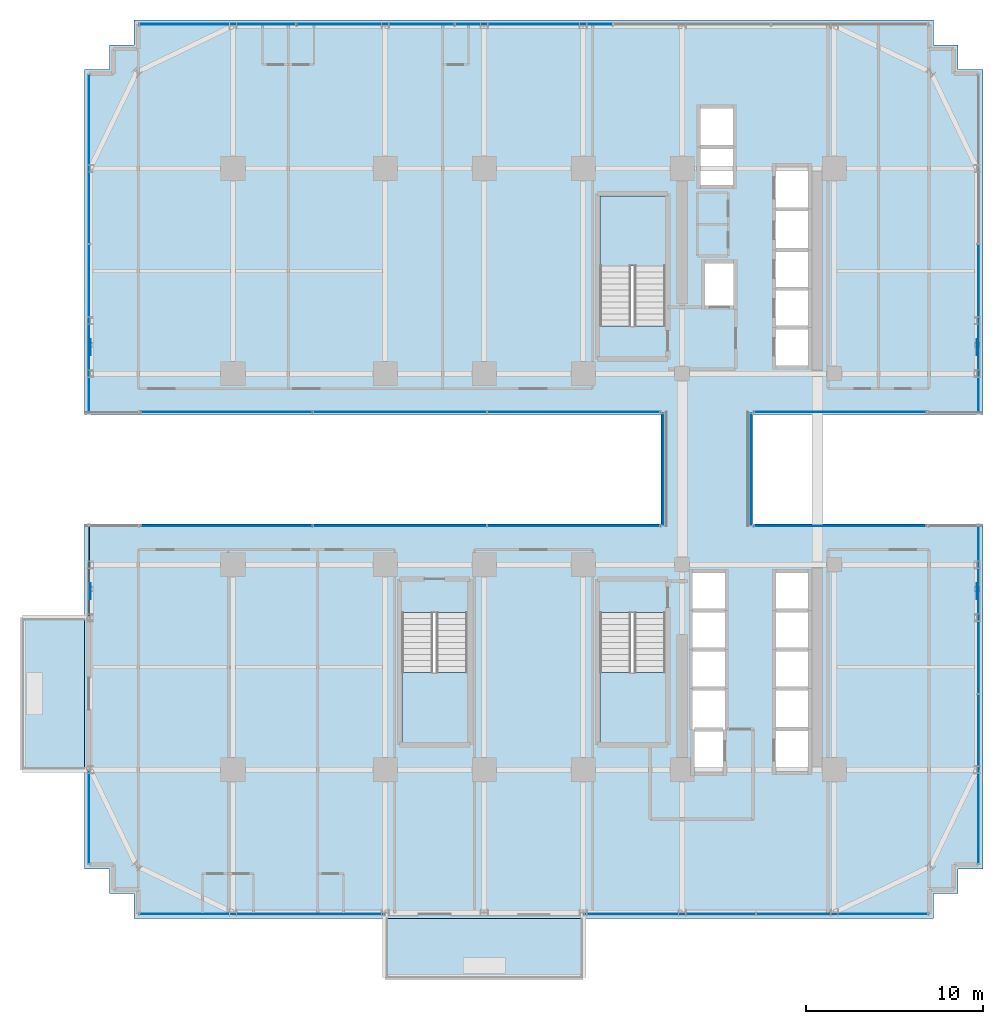
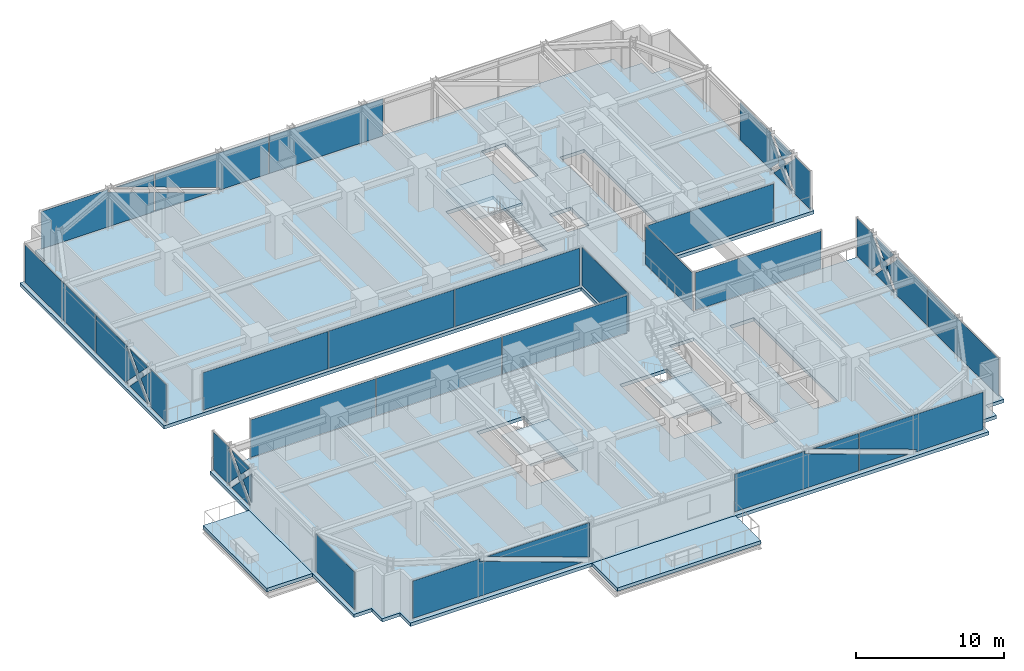
# One storey, part 30 of 38: 27 plates, 6 slabs, 17 elements without a shape of their own.
"""IFC4 building model written with IfcOpenShell, lengths in metres."""

import ifcopenshell
import ifcopenshell.guid

model = None  # the IFC model being written
_history = None  # IfcOwnerHistory: only IFC2X3 demands one
_inside = {}  # id of a spatial element -> (the spatial element, [elements in it])
_under = {}  # id of a project, library or spatial element -> (it, [spatial elements below it])
_declared = {}  # id of a project -> (the project, [libraries it declares])
_typed = {}  # id of a type object -> (the type object, [elements of that type])
_made_of = {}  # id of a material, layer set ... -> (it, [elements and type objects made of it])


def new_model(schema):
    """Start an empty IFC model of exactly this schema.

    Asked for "IFC4X3", IfcOpenShell would pick the latest addendum, in which some entities
    have other attributes; the version numbers below select the first issue.
    IFC2X3 requires an IfcOwnerHistory on every rooted entity: one is made here for all.
    """
    global model, _history
    if schema == "IFC4X3":
        model = ifcopenshell.file(schema_version=(4, 3, 0, 0))
    else:
        model = ifcopenshell.file(schema=schema)
    _inside.clear()
    _under.clear()
    _declared.clear()
    _typed.clear()
    _made_of.clear()
    _history = None
    if model.schema == "IFC2X3":
        org = make("IfcOrganization", Name="unknown")
        user = make(
            "IfcPersonAndOrganization",
            ThePerson=make("IfcPerson", FamilyName="unknown"),
            TheOrganization=org,
        )
        app = make(
            "IfcApplication",
            ApplicationDeveloper=org,
            Version="unknown",
            ApplicationFullName="unknown",
            ApplicationIdentifier="unknown",
        )
        _history = make(
            "IfcOwnerHistory",
            OwningUser=user,
            OwningApplication=app,
            ChangeAction="ADDED",
            CreationDate=0,
        )
    return model


def make(cls, **values):
    """One entity of the class cls with the attributes given. An attribute that is None is left unset."""
    return model.create_entity(
        cls, **{name: value for name, value in values.items() if value is not None}
    )


def rooted(cls, **values):
    """An entity with a GlobalId (a new one), such as an element, a storey or a relation."""
    return make(cls, GlobalId=ifcopenshell.guid.new(), OwnerHistory=_history, **values)


def si_unit(unit_type, name, prefix=None):
    """IfcSIUnit, for example si_unit("LENGTHUNIT", "METRE", prefix="MILLI")."""
    return make("IfcSIUnit", UnitType=unit_type, Prefix=prefix, Name=name)


def assignment(units):
    """IfcUnitAssignment: the units of a project."""
    return None if units is None else make("IfcUnitAssignment", Units=units)


def point(xyz):
    """IfcCartesianPoint."""
    return None if xyz is None else make("IfcCartesianPoint", Coordinates=xyz)


def direction(xyz):
    """IfcDirection."""
    return None if xyz is None else make("IfcDirection", DirectionRatios=xyz)


def frame(location, z_axis=None, x_axis=None):
    """IfcAxis2Placement3D, a coordinate frame: its origin and axes. An axis left out is left unset."""
    return make(
        "IfcAxis2Placement3D",
        Location=point(location),
        Axis=direction(z_axis),
        RefDirection=direction(x_axis),
    )


def frame_2d(location, x_axis=None):
    """IfcAxis2Placement2D, a coordinate frame in the plane: its origin and x axis."""
    return make(
        "IfcAxis2Placement2D", Location=point(location), RefDirection=direction(x_axis)
    )


def origin():
    """The frame at (0, 0, 0) with its axes left unset."""
    return frame((0.0, 0.0, 0.0))


def origin_2d():
    """The frame at (0, 0) in the plane with its x axis left unset."""
    return frame_2d((0.0, 0.0))


def place(relative_to, where):
    """IfcLocalPlacement: puts the frame where relative to a parent placement (None: the world)."""
    return make(
        "IfcLocalPlacement", PlacementRelTo=relative_to, RelativePlacement=where
    )


def context(
    kind, dimensions, precision=None, world=None, true_north=None, identifier=None
):
    """IfcGeometricRepresentationContext, for example the 3D "Model" context."""
    return make(
        "IfcGeometricRepresentationContext",
        ContextIdentifier=identifier,
        ContextType=kind,
        CoordinateSpaceDimension=dimensions,
        Precision=precision,
        WorldCoordinateSystem=world,
        TrueNorth=true_north,
    )


def subcontext(parent, identifier, kind, view, scale=None):
    """IfcGeometricRepresentationSubContext, for example "Body" below "Model"."""
    return make(
        "IfcGeometricRepresentationSubContext",
        ContextIdentifier=identifier,
        ContextType=kind,
        ParentContext=parent,
        TargetScale=scale,
        TargetView=view,
    )


def project(units=None, contexts=None):
    """IfcProject with its units and contexts."""
    return rooted(
        "IfcProject",
        Name="project",
        RepresentationContexts=contexts,
        UnitsInContext=assignment(units),
    )


def spatial(cls, under=None, at=None, **own):
    """A site, building, storey or space (cls), placed at a placement, below another one or the project."""
    s = rooted(cls, ObjectPlacement=at, **own)
    if under is not None:
        _under.setdefault(under.id(), (under, []))[1].append(s)
    return s


def polyline(points):
    """IfcPolyline through the points."""
    return make("IfcPolyline", Points=[point(p) for p in points])


def profile(cls, at=None, kind="AREA", **sizes):
    """A parametric profile (cls). Its sizes go by their IFC names, for example OverallWidth=200.0."""
    return make(cls, ProfileType=kind, Position=at, **sizes)


def rectangle(**sizes):
    """IfcRectangleProfileDef."""
    return profile("IfcRectangleProfileDef", **sizes)


def outline(outer, holes=None, kind="AREA"):
    """IfcArbitraryClosedProfileDef: a profile drawn as a closed curve; with holes, ...WithVoids."""
    if holes is None:
        return make("IfcArbitraryClosedProfileDef", ProfileType=kind, OuterCurve=outer)
    return make(
        "IfcArbitraryProfileDefWithVoids",
        ProfileType=kind,
        OuterCurve=outer,
        InnerCurves=holes,
    )


def extrude(swept, where, along, depth):
    """IfcExtrudedAreaSolid: the profile swept, set in the frame where, extruded along a direction by depth."""
    return make(
        "IfcExtrudedAreaSolid",
        SweptArea=swept,
        Position=where,
        ExtrudedDirection=direction(along),
        Depth=depth,
    )


def shape(context_of_items, identifier, shape_type, items):
    """IfcShapeRepresentation: the items that make up one representation, for example the "Body"."""
    return make(
        "IfcShapeRepresentation",
        ContextOfItems=context_of_items,
        RepresentationIdentifier=identifier,
        RepresentationType=shape_type,
        Items=items,
    )


def source(mapping_origin, context_of_items, identifier, shape_type, items):
    """IfcRepresentationMap: a shape defined once, which mapped items show again and again."""
    return make(
        "IfcRepresentationMap",
        MappingOrigin=mapping_origin,
        MappedRepresentation=shape(context_of_items, identifier, shape_type, items),
    )


def transform(
    local_origin,
    x_axis=None,
    y_axis=None,
    z_axis=None,
    scale=None,
    scale2=None,
    scale3=None,
    uniform=True,
):
    """IfcCartesianTransformationOperator3D, or its non-uniform kind. x_axis, y_axis, z_axis: its Axis1, 2, 3."""
    if uniform:
        return make(
            "IfcCartesianTransformationOperator3D",
            Axis1=direction(x_axis),
            Axis2=direction(y_axis),
            LocalOrigin=point(local_origin),
            Scale=scale,
            Axis3=direction(z_axis),
        )
    return make(
        "IfcCartesianTransformationOperator3DnonUniform",
        Axis1=direction(x_axis),
        Axis2=direction(y_axis),
        LocalOrigin=point(local_origin),
        Scale=scale,
        Axis3=direction(z_axis),
        Scale2=scale2,
        Scale3=scale3,
    )


def mapped(mapping_source, mapping_target):
    """IfcMappedItem: shows the shape of a source again, moved by a transform."""
    return make(
        "IfcMappedItem", MappingSource=mapping_source, MappingTarget=mapping_target
    )


def material(Name=None, Category=None):
    """IfcMaterial."""
    return make("IfcMaterial", Name=Name, Category=Category)


def layer(
    of_material, thickness, ventilated=None, Name=None, Category=None, Priority=None
):
    """IfcMaterialLayer: one layer of a wall or slab, of a material (None: an air gap)."""
    return make(
        "IfcMaterialLayer",
        Material=of_material,
        LayerThickness=thickness,
        IsVentilated=ventilated,
        Name=Name,
        Category=Category,
        Priority=Priority,
    )


def layer_set(layers, Name=None):
    """IfcMaterialLayerSet."""
    return make("IfcMaterialLayerSet", MaterialLayers=layers, LayerSetName=Name)


def made_of(thing, what):
    """Note that an element or type object is made of a material, layer set ...; save() writes the relation."""
    if what is not None:
        _made_of.setdefault(what.id(), (what, []))[1].append(thing)
    return thing


def type_object(cls, material=None, **own):
    """A type object (cls), such as IfcWallType, which elements share."""
    return made_of(rooted(cls, **own), material)


def element(
    cls,
    number,
    at=None,
    inside=None,
    cuts=None,
    type_object=None,
    material=None,
    context=None,
    identifier="Body",
    shape_type=None,
    held_by="IfcProductDefinitionShape",
    body=None,
    shapes=None,
    **own,
):
    """One element of the class cls, such as IfcWall. Its Tag is "e" and its number.

    at: its placement. inside: the storey or other place that contains it. cuts: it is an
    opening in that element (IfcRelVoidsElement). A single representation is given by context,
    identifier, shape_type and body (its items); several are given by shapes. held_by: the class
    of the entity that holds the representations. save() writes the other relations.
    """
    e = rooted(cls, Tag="e%d" % number, ObjectPlacement=at, **own)
    if body is not None:
        shapes = [shape(context, identifier, shape_type, body)]
    if shapes is not None:
        e.Representation = make(held_by, Representations=shapes)
    if inside is not None:
        _inside.setdefault(inside.id(), (inside, []))[1].append(e)
    if cuts is not None:
        rooted(
            "IfcRelVoidsElement", RelatingBuildingElement=cuts, RelatedOpeningElement=e
        )
    if type_object is not None:
        _typed.setdefault(type_object.id(), (type_object, []))[1].append(e)
    return made_of(e, material)


def aggregate(whole, parts):
    """IfcRelAggregates: a whole, such as a stair, and the parts it consists of."""
    return rooted("IfcRelAggregates", RelatingObject=whole, RelatedObjects=parts)


def save(model, path):
    """Write the relations noted so far, then the file.

    IfcRelAggregates (storeys below a building ...), IfcRelContainedInSpatialStructure (elements
    in a storey), IfcRelDefinesByType, IfcRelAssociatesMaterial and IfcRelDeclares: one each for
    every whole, place, type object, material and project.
    """
    for whole, parts in _under.values():
        aggregate(whole, parts)
    for where, things in _inside.values():
        rooted(
            "IfcRelContainedInSpatialStructure",
            RelatedElements=things,
            RelatingStructure=where,
        )
    for kind, things in _typed.values():
        rooted("IfcRelDefinesByType", RelatedObjects=things, RelatingType=kind)
    for what, things in _made_of.values():
        rooted("IfcRelAssociatesMaterial", RelatedObjects=things, RelatingMaterial=what)
    for by, libraries in _declared.values():
        rooted("IfcRelDeclares", RelatingContext=by, RelatedDefinitions=libraries)
    model.write(path)


model = new_model("IFC4")

# Units and contexts
model_context = context("Model", 3, precision=1e-05, world=origin(), true_north=direction((0.0, 1.0)))
body_context = subcontext(model_context, "Body", "Model", "MODEL_VIEW")
ifc_project = project(units=[si_unit("LENGTHUNIT", "METRE"), si_unit("AREAUNIT", "SQUARE_METRE"), si_unit("VOLUMEUNIT", "CUBIC_METRE"), si_unit("PLANEANGLEUNIT", "RADIAN"), si_unit("MASSUNIT", "GRAM", prefix="KILO")], contexts=[model_context])

# Site, building, storey
site_placement = place(None, origin())
site = spatial("IfcSite", under=ifc_project, at=site_placement, CompositionType="ELEMENT")
building_placement = place(site_placement, origin())
building = spatial("IfcBuilding", under=site, at=building_placement, Name="Nahalor Promenade Grand Hotel", CompositionType="ELEMENT")
storey_placement = place(building_placement, frame((0.0, 0.0, 50.64990234375)))
storey = spatial("IfcBuildingStorey", under=building, at=storey_placement, Name="L11", CompositionType="ELEMENT", Elevation=50.64990234375)

# Curtain wall, plate
ifc_material_1 = material(Name="Anodised Bronze Aluminium EN AW-6063 T6", Category="aluminium")
curtain_wall_type_1 = type_object("IfcCurtainWallType", Name="CW3 Elliptical-Void Collar Unitised Curtain Wall", PredefinedType="USERDEFINED", material=ifc_material_1)
curtain_wall_1_placement = place(storey_placement, origin())
curtain_wall_1 = element("IfcCurtainWall", 1, at=curtain_wall_1_placement, inside=storey, type_object=curtain_wall_type_1, Name="L11 Curtain Wall CW-L11-S-1", ObjectType="UNITISED_CURTAIN_WALL", PredefinedType="USERDEFINED")
ifc_material_2 = material(Name="Low-E Laminated Solar Glass", Category="glass")
ifc_layer_1 = layer(ifc_material_2, 0.030029296875)
ifc_layer_set_1 = layer_set([ifc_layer_1], Name="Low-E Laminated Solar Glass")
plate_type_1 = type_object("IfcPlateType", Name="CWP3 High-Wind Laminated Bronze IGU 30mm", PredefinedType="CURTAIN_PANEL", material=ifc_layer_set_1)
plate_1_placement = place(storey_placement, frame((-15.3798828125, -25.159912109375, 0.14013671875), z_axis=(0.0, 0.0, 1.0), x_axis=(1.0, 0.0, 0.0)))
plate_1 = element("IfcPlate", 2, at=plate_1_placement, type_object=plate_type_1, Name="CW-L11-S-1 Glazing Panel 0-0", PredefinedType="CURTAIN_PANEL", context=body_context, shape_type="SweptSolid", body=[
    extrude(outline(polyline([(-6.909912109375, 3.090087890625), (-6.909912109375, 0.0), (6.4130859375, 0.0), (-1.710693359375, 2.900146484375), (-1.64306640625, 3.090087890625), (-6.909912109375, 3.090087890625)])), frame((0.0, 0.01513671875, 0.0), z_axis=(0.0, -1.0, 0.0), x_axis=(1.0, 0.0, 0.0)), (0.0, 0.0, 1.0), 0.030029296875),
    extrude(outline(polyline([(6.909912109375, 0.247314453125), (6.909912109375, 3.090087890625), (-1.05322265625, 3.090087890625), (6.909912109375, 0.247314453125)])), frame((0.0, 0.01513671875, 0.0), z_axis=(0.0, -1.0, 0.0), x_axis=(1.0, 0.0, 0.0)), (0.0, 0.0, 1.0), 0.030029296875),
])
aggregate(curtain_wall_1, [plate_1])

# Curtain wall, plates
curtain_wall_2_placement = place(storey_placement, origin())
curtain_wall_2 = element("IfcCurtainWall", 3, at=curtain_wall_2_placement, inside=storey, type_object=curtain_wall_type_1, Name="L11 Curtain Wall CW-L11-S-3", ObjectType="UNITISED_CURTAIN_WALL", PredefinedType="USERDEFINED")
plate_2_placement = place(storey_placement, frame((7.70751953125, -25.159912109375, 0.14013671875), z_axis=(0.0, 0.0, 1.0), x_axis=(1.0, 0.0, 0.0)))
plate_2 = element("IfcPlate", 4, at=plate_2_placement, type_object=plate_type_1, Name="CW-L11-S-3 Glazing Panel 0-0", PredefinedType="CURTAIN_PANEL", context=body_context, shape_type="SweptSolid", body=[
    extrude(outline(polyline([(-4.83740234375, 0.0), (4.83740234375, 0.0), (4.83740234375, 1.387939453125), (0.601806640625, 2.900146484375), (0.66943359375, 3.090087890625), (-4.83740234375, 3.090087890625), (-4.83740234375, 0.0)])), frame((0.0, 0.01513671875, 0.0), z_axis=(0.0, -1.0, 0.0), x_axis=(1.0, 0.0, 0.0)), (0.0, 0.0, 1.0), 0.030029296875),
    extrude(outline(polyline([(4.83740234375, 1.812744140625), (4.83740234375, 3.090087890625), (1.25927734375, 3.090087890625), (4.83740234375, 1.812744140625)])), frame((0.0, 0.01513671875, 0.0), z_axis=(0.0, -1.0, 0.0), x_axis=(1.0, 0.0, 0.0)), (0.0, 0.0, 1.0), 0.030029296875),
])
plate_3_placement = place(storey_placement, frame((17.452392578125, -25.159912109375, 0.14013671875), z_axis=(0.0, 0.0, 1.0), x_axis=(1.0, 0.0, 0.0)))
plate_3 = element("IfcPlate", 5, at=plate_3_placement, type_object=plate_type_1, Name="CW-L11-S-3 Glazing Panel 1-0", PredefinedType="CURTAIN_PANEL", context=body_context, shape_type="SweptSolid", body=[
    extrude(outline(polyline([(4.83740234375, 3.090087890625), (-4.83740234375, 3.090087890625), (-4.83740234375, 1.78759765625), (-0.36181640625, 0.18994140625), (-0.429443359375, 0.0), (4.83740234375, 0.0), (4.83740234375, 3.090087890625)])), frame((0.0, 0.01513671875, 0.0), z_axis=(0.0, -1.0, 0.0), x_axis=(1.0, 0.0, 0.0)), (0.0, 0.0, 1.0), 0.030029296875),
    extrude(outline(polyline([(-4.83740234375, 1.363037109375), (-4.83740234375, 0.0), (-1.019287109375, 0.0), (-4.83740234375, 1.363037109375)])), frame((0.0, 0.01513671875, 0.0), z_axis=(0.0, -1.0, 0.0), x_axis=(1.0, 0.0, 0.0)), (0.0, 0.0, 1.0), 0.030029296875),
])
aggregate(curtain_wall_2, [plate_2, plate_3])

curtain_wall_3_placement = place(storey_placement, origin())
curtain_wall_3 = element("IfcCurtainWall", 6, at=curtain_wall_3_placement, inside=storey, type_object=curtain_wall_type_1, Name="L11 Curtain Wall CW-L11-N-1", ObjectType="UNITISED_CURTAIN_WALL", PredefinedType="USERDEFINED")
plate_4_placement = place(storey_placement, frame((-17.87060546875, 25.159912109375, 0.14013671875), z_axis=(0.0, 0.0, 1.0), x_axis=(1.0, 0.0, 0.0)))
plate_4 = element("IfcPlate", 7, at=plate_4_placement, type_object=plate_type_1, Name="CW-L11-N-1 Glazing Panel 0-0", PredefinedType="CURTAIN_PANEL", context=body_context, shape_type="SweptSolid", body=[
    extrude(outline(polyline([(-4.41943359375, 0.0), (4.41943359375, 0.0), (4.41943359375, 1.600830078125), (0.77978515625, 2.900146484375), (0.847412109375, 3.090087890625), (-4.41943359375, 3.090087890625), (-4.41943359375, 0.0)])), frame((0.0, 0.01513671875, 0.0), z_axis=(0.0, -1.0, 0.0), x_axis=(1.0, 0.0, 0.0)), (0.0, 0.0, 1.0), 0.030029296875),
    extrude(outline(polyline([(4.41943359375, 2.025390625), (4.41943359375, 3.090087890625), (1.437255859375, 3.090087890625), (4.41943359375, 2.025390625)])), frame((0.0, 0.01513671875, 0.0), z_axis=(0.0, -1.0, 0.0), x_axis=(1.0, 0.0, 0.0)), (0.0, 0.0, 1.0), 0.030029296875),
])
plate_5_placement = place(storey_placement, frame((-8.944091796875, 25.159912109375, 0.14013671875), z_axis=(0.0, 0.0, 1.0), x_axis=(1.0, 0.0, 0.0)))
plate_5 = element("IfcPlate", 8, at=plate_5_placement, type_object=plate_type_1, Name="CW-L11-N-1 Glazing Panel 1-0", PredefinedType="CURTAIN_PANEL", context=body_context, shape_type="SweptSolid", body=[
    extrude(outline(polyline([(4.43701171875, 3.090087890625), (-4.43701171875, 3.090087890625), (-4.43701171875, 2.00048828125), (0.634765625, 0.18994140625), (0.56689453125, 0.0), (4.43701171875, 0.0), (4.43701171875, 3.090087890625)])), frame((0.0, 0.01513671875, 0.0), z_axis=(0.0, -1.0, 0.0), x_axis=(1.0, 0.0, 0.0)), (0.0, 0.0, 1.0), 0.030029296875),
    extrude(outline(polyline([(-4.43701171875, 1.57568359375), (-4.43701171875, 0.0), (-0.02294921875, 0.0), (-4.43701171875, 1.57568359375)])), frame((0.0, 0.01513671875, 0.0), z_axis=(0.0, -1.0, 0.0), x_axis=(1.0, 0.0, 0.0)), (0.0, 0.0, 1.0), 0.030029296875),
])

# Curtain wall, plate
curtain_wall_4_placement = place(storey_placement, origin())
curtain_wall_4 = element("IfcCurtainWall", 9, at=curtain_wall_4_placement, inside=storey, type_object=curtain_wall_type_1, Name="L11 Curtain Wall CW-L11-W-3", ObjectType="UNITISED_CURTAIN_WALL", PredefinedType="USERDEFINED")
plate_6_placement = place(storey_placement, frame((-25.159912109375, -5.75, 0.14013671875), z_axis=(0.0, 0.0, 1.0), x_axis=(0.0, 1.0, 0.0)))
plate_6 = element("IfcPlate", 10, at=plate_6_placement, type_object=plate_type_1, Name="CW-L11-W-3 Glazing Panel 0-0", PredefinedType="CURTAIN_PANEL", context=body_context, shape_type="SweptSolid", body=[
    extrude(outline(polyline([(-1.4296875, 1.544921875), (-2.580078125, 2.72216796875), (-2.580078125, 0.36767578125), (-1.4296875, 1.544921875)])), frame((0.0, 0.01513671875, 0.0), z_axis=(0.0, -1.0, 0.0), x_axis=(1.0, 0.0, 0.0)), (0.0, 0.0, 1.0), 0.030029296875),
    extrude(outline(polyline([(-1.14990234375, 1.2587890625), (-2.380126953125, 0.0), (0.080078125, 0.0), (-1.14990234375, 1.2587890625)])), frame((0.0, 0.01513671875, 0.0), z_axis=(0.0, -1.0, 0.0), x_axis=(1.0, 0.0, 0.0)), (0.0, 0.0, 1.0), 0.030029296875),
    extrude(outline(polyline([(-1.14990234375, 1.831298828125), (0.080078125, 3.090087890625), (-2.380126953125, 3.090087890625), (-1.14990234375, 1.831298828125)])), frame((0.0, 0.01513671875, 0.0), z_axis=(0.0, -1.0, 0.0), x_axis=(1.0, 0.0, 0.0)), (0.0, 0.0, 1.0), 0.030029296875),
    extrude(outline(polyline([(2.580078125, 0.0), (2.580078125, 3.090087890625), (0.37548828125, 3.090087890625), (0.510498046875, 2.9580078125), (-0.870361328125, 1.544921875), (0.510498046875, 0.1318359375), (0.37548828125, 0.0), (2.580078125, 0.0)])), frame((0.0, 0.01513671875, 0.0), z_axis=(0.0, -1.0, 0.0), x_axis=(1.0, 0.0, 0.0)), (0.0, 0.0, 1.0), 0.030029296875),
])
aggregate(curtain_wall_4, [plate_6])

curtain_wall_5_placement = place(storey_placement, origin())
curtain_wall_5 = element("IfcCurtainWall", 11, at=curtain_wall_5_placement, inside=storey, type_object=curtain_wall_type_1, Name="L11 Curtain Wall CW-L11-W-4", ObjectType="UNITISED_CURTAIN_WALL", PredefinedType="USERDEFINED")
plate_7_placement = place(storey_placement, frame((-25.159912109375, 7.9326171875, 0.14013671875), z_axis=(0.0, 0.0, 1.0), x_axis=(0.0, 1.0, 0.0)))
plate_7 = element("IfcPlate", 12, at=plate_7_placement, type_object=plate_type_1, Name="CW-L11-W-4 Glazing Panel 0-0", PredefinedType="CURTAIN_PANEL", context=body_context, shape_type="SweptSolid", body=[
    extrude(outline(polyline([(-4.762451171875, 3.090087890625), (-4.762451171875, 0.0), (-2.55810546875, 0.0), (-2.693115234375, 0.1318359375), (-1.31201171875, 1.544921875), (-2.693115234375, 2.9580078125), (-2.55810546875, 3.090087890625), (-4.762451171875, 3.090087890625)])), frame((0.0, 0.01513671875, 0.0), z_axis=(0.0, -1.0, 0.0), x_axis=(1.0, 0.0, 0.0)), (0.0, 0.0, 1.0), 0.030029296875),
    extrude(outline(polyline([(-1.032470703125, 1.2587890625), (-2.2626953125, 0.0), (0.197509765625, 0.0), (-1.032470703125, 1.2587890625)])), frame((0.0, 0.01513671875, 0.0), z_axis=(0.0, -1.0, 0.0), x_axis=(1.0, 0.0, 0.0)), (0.0, 0.0, 1.0), 0.030029296875),
    extrude(outline(polyline([(-1.032470703125, 1.831298828125), (0.19775390625, 3.090087890625), (-2.2626953125, 3.090087890625), (-1.032470703125, 1.831298828125)])), frame((0.0, 0.01513671875, 0.0), z_axis=(0.0, -1.0, 0.0), x_axis=(1.0, 0.0, 0.0)), (0.0, 0.0, 1.0), 0.030029296875),
    extrude(outline(polyline([(4.762451171875, 0.0), (4.762451171875, 3.090087890625), (0.492919921875, 3.090087890625), (0.6279296875, 2.9580078125), (-0.7529296875, 1.544921875), (0.6279296875, 0.1318359375), (0.492919921875, 0.0), (4.762451171875, 0.0)])), frame((0.0, 0.01513671875, 0.0), z_axis=(0.0, -1.0, 0.0), x_axis=(1.0, 0.0, 0.0)), (0.0, 0.0, 1.0), 0.030029296875),
])

curtain_wall_6_placement = place(storey_placement, origin())
curtain_wall_6 = element("IfcCurtainWall", 13, at=curtain_wall_6_placement, inside=storey, type_object=curtain_wall_type_1, Name="L11 Curtain Wall CW-L11-E-1", ObjectType="UNITISED_CURTAIN_WALL", PredefinedType="USERDEFINED")
plate_8_placement = place(storey_placement, frame((25.159912109375, -7.9326171875, 0.14013671875), z_axis=(0.0, 0.0, 1.0), x_axis=(0.0, 1.0, 0.0)))
plate_8 = element("IfcPlate", 14, at=plate_8_placement, type_object=plate_type_1, Name="CW-L11-E-1 Glazing Panel 1-0", PredefinedType="CURTAIN_PANEL", context=body_context, shape_type="SweptSolid", body=[
    extrude(outline(polyline([(-4.762451171875, 3.090087890625), (-4.762451171875, 0.0), (-0.492919921875, 0.0), (-0.6279296875, 0.1318359375), (0.7529296875, 1.544921875), (-0.6279296875, 2.9580078125), (-0.492919921875, 3.090087890625), (-4.762451171875, 3.090087890625)])), frame((0.0, 0.01513671875, 0.0), z_axis=(0.0, -1.0, 0.0), x_axis=(1.0, 0.0, 0.0)), (0.0, 0.0, 1.0), 0.030029296875),
    extrude(outline(polyline([(1.032470703125, 1.2587890625), (-0.19775390625, 0.0), (2.2626953125, 0.0), (1.032470703125, 1.2587890625)])), frame((0.0, 0.01513671875, 0.0), z_axis=(0.0, -1.0, 0.0), x_axis=(1.0, 0.0, 0.0)), (0.0, 0.0, 1.0), 0.030029296875),
    extrude(outline(polyline([(1.032470703125, 1.831298828125), (2.2626953125, 3.090087890625), (-0.197509765625, 3.090087890625), (1.032470703125, 1.831298828125)])), frame((0.0, 0.01513671875, 0.0), z_axis=(0.0, -1.0, 0.0), x_axis=(1.0, 0.0, 0.0)), (0.0, 0.0, 1.0), 0.030029296875),
    extrude(outline(polyline([(4.762451171875, 0.0), (4.762451171875, 3.090087890625), (2.55810546875, 3.090087890625), (2.693115234375, 2.9580078125), (1.31201171875, 1.544921875), (2.693115234375, 0.1318359375), (2.55810546875, 0.0), (4.762451171875, 0.0)])), frame((0.0, 0.01513671875, 0.0), z_axis=(0.0, -1.0, 0.0), x_axis=(1.0, 0.0, 0.0)), (0.0, 0.0, 1.0), 0.030029296875),
])

curtain_wall_7_placement = place(storey_placement, origin())
curtain_wall_7 = element("IfcCurtainWall", 15, at=curtain_wall_7_placement, inside=storey, type_object=curtain_wall_type_1, Name="L11 Curtain Wall CW-L11-E-2", ObjectType="UNITISED_CURTAIN_WALL", PredefinedType="USERDEFINED")
plate_9_placement = place(storey_placement, frame((25.159912109375, 7.9326171875, 0.14013671875), z_axis=(0.0, 0.0, 1.0), x_axis=(0.0, 1.0, 0.0)))
plate_9 = element("IfcPlate", 16, at=plate_9_placement, type_object=plate_type_1, Name="CW-L11-E-2 Glazing Panel 0-0", PredefinedType="CURTAIN_PANEL", context=body_context, shape_type="SweptSolid", body=[
    extrude(outline(polyline([(-4.762451171875, 3.090087890625), (-4.762451171875, 0.0), (-2.55810546875, 0.0), (-2.693115234375, 0.1318359375), (-1.31201171875, 1.544921875), (-2.693115234375, 2.9580078125), (-2.55810546875, 3.090087890625), (-4.762451171875, 3.090087890625)])), frame((0.0, 0.01513671875, 0.0), z_axis=(0.0, -1.0, 0.0), x_axis=(1.0, 0.0, 0.0)), (0.0, 0.0, 1.0), 0.030029296875),
    extrude(outline(polyline([(-1.032470703125, 1.2587890625), (-2.2626953125, 0.0), (0.197509765625, 0.0), (-1.032470703125, 1.2587890625)])), frame((0.0, 0.01513671875, 0.0), z_axis=(0.0, -1.0, 0.0), x_axis=(1.0, 0.0, 0.0)), (0.0, 0.0, 1.0), 0.030029296875),
    extrude(outline(polyline([(-1.032470703125, 1.831298828125), (0.19775390625, 3.090087890625), (-2.2626953125, 3.090087890625), (-1.032470703125, 1.831298828125)])), frame((0.0, 0.01513671875, 0.0), z_axis=(0.0, -1.0, 0.0), x_axis=(1.0, 0.0, 0.0)), (0.0, 0.0, 1.0), 0.030029296875),
    extrude(outline(polyline([(4.762451171875, 0.0), (4.762451171875, 3.090087890625), (0.492919921875, 3.090087890625), (0.6279296875, 2.9580078125), (-0.7529296875, 1.544921875), (0.6279296875, 0.1318359375), (0.492919921875, 0.0), (4.762451171875, 0.0)])), frame((0.0, 0.01513671875, 0.0), z_axis=(0.0, -1.0, 0.0), x_axis=(1.0, 0.0, 0.0)), (0.0, 0.0, 1.0), 0.030029296875),
])
aggregate(curtain_wall_7, [plate_9])

# Stair, slab
ifc_material_3 = material(Name="Concrete B-50 (C40/50)", Category="concrete")
stair_type_1 = type_object("IfcStairType", Name="Stair-ST1", PredefinedType="HALF_TURN_STAIR", material=ifc_material_3)
stair_1_placement = place(storey_placement, origin())
stair_1 = element("IfcStair", 17, at=stair_1_placement, inside=storey, type_object=stair_type_1, Name="L11 ST1", PredefinedType="HALF_TURN_STAIR")
ifc_layer_2 = layer(ifc_material_3, 0.199951171875)
ifc_layer_set_2 = layer_set([ifc_layer_2], Name="Concrete B-50 (C40/50)")
slab_type_1 = type_object("IfcSlabType", Name="Landing-ST1", PredefinedType="LANDING", material=ifc_layer_set_2)
slab_1_placement = place(storey_placement, frame((0.0, 0.0, 1.625)))
slab_1 = element("IfcSlab", 18, at=slab_1_placement, type_object=slab_type_1, Name="ST1 landing 1", PredefinedType="LANDING", context=body_context, shape_type="SweptSolid", body=[
    extrude(outline(polyline([(7.449951171875, 11.5), (7.449951171875, 15.449951171875), (3.75, 15.449951171875), (3.75, 11.5), (7.449951171875, 11.5)])), origin(), (0.0, 0.0, 1.0), 0.2001953125),
])
aggregate(stair_1, [slab_1])

stair_type_2 = type_object("IfcStairType", Name="Stair-ST2", PredefinedType="HALF_TURN_STAIR", material=ifc_material_3)
stair_2_placement = place(storey_placement, origin())
stair_2 = element("IfcStair", 19, at=stair_2_placement, inside=storey, type_object=stair_type_2, Name="L11 ST2", PredefinedType="HALF_TURN_STAIR")
ifc_layer_3 = layer(ifc_material_3, 0.2099609375)
ifc_layer_set_3 = layer_set([ifc_layer_3], Name="Concrete B-50 (C40/50)")
slab_type_2 = type_object("IfcSlabType", Name="Landing-ST2", PredefinedType="LANDING", material=ifc_layer_set_3)
slab_2_placement = place(storey_placement, frame((0.0, 0.0, 1.614990234375)))
slab_2 = element("IfcSlab", 20, at=slab_2_placement, type_object=slab_type_2, Name="ST2 landing 1", PredefinedType="LANDING", context=body_context, shape_type="SweptSolid", body=[
    extrude(outline(polyline([(3.75, -11.5), (3.75, -15.449951171875), (7.449951171875, -15.449951171875), (7.449951171875, -11.5), (3.75, -11.5)])), origin(), (0.0, 0.0, 1.0), 0.210205078125),
])
aggregate(stair_2, [slab_2])

stair_type_3 = type_object("IfcStairType", Name="Stair-ST3", PredefinedType="HALF_TURN_STAIR", material=ifc_material_3)
stair_3_placement = place(storey_placement, origin())
stair_3 = element("IfcStair", 21, at=stair_3_placement, inside=storey, type_object=stair_type_3, Name="L11 ST3", PredefinedType="HALF_TURN_STAIR")
ifc_layer_4 = layer(ifc_material_3, 0.219970703125)
ifc_layer_set_4 = layer_set([ifc_layer_4], Name="Concrete B-50 (C40/50)")
slab_type_3 = type_object("IfcSlabType", Name="Landing-ST3", PredefinedType="LANDING", material=ifc_layer_set_4)
slab_3_placement = place(storey_placement, frame((0.0, 0.0, 1.60498046875)))
slab_3 = element("IfcSlab", 22, at=slab_3_placement, type_object=slab_type_3, Name="ST3 landing 1", PredefinedType="LANDING", context=body_context, shape_type="SweptSolid", body=[
    extrude(outline(polyline([(-7.449951171875, -11.5), (-7.449951171875, -15.449951171875), (-3.75, -15.449951171875), (-3.75, -11.5), (-7.449951171875, -11.5)])), origin(), (0.0, 0.0, 1.0), 0.22021484375),
])
aggregate(stair_3, [slab_3])

# Slabs
ifc_layer_5 = layer(ifc_material_3, 0.280029296875)
ifc_layer_set_5 = layer_set([ifc_layer_5], Name="Concrete B-50 (C40/50)")
slab_type_4 = type_object("IfcSlabType", Name="Slab-Balcony-280", PredefinedType="FLOOR", material=ifc_layer_set_5)
slab_4_placement = place(storey_placement, frame((0.0, 0.0, -0.27978515625)))
element("IfcSlab", 23, at=slab_4_placement, inside=storey, type_object=slab_type_4, Name="L11 Cantilevered Planted Balcony 1", PredefinedType="FLOOR", context=body_context, shape_type="SweptSolid", body=[
    extrude(outline(polyline([(-8.39990234375, -28.820068359375), (2.800048828125, -28.820068359375), (2.800048828125, -25.39990234375), (-8.39990234375, -25.39990234375), (-8.39990234375, -28.820068359375)])), origin(), (0.0, 0.0, 1.0), 0.27978515625),
])
slab_5_placement = place(storey_placement, frame((0.0, 0.0, -0.27978515625)))
element("IfcSlab", 24, at=slab_5_placement, inside=storey, type_object=slab_type_4, Name="L11 Cantilevered Planted Balcony 2", PredefinedType="FLOOR", context=body_context, shape_type="SweptSolid", body=[
    extrude(outline(polyline([(-28.97998046875, -17.0), (-25.39990234375, -17.0), (-25.39990234375, -8.39990234375), (-28.97998046875, -8.39990234375), (-28.97998046875, -17.0)])), origin(), (0.0, 0.0, 1.0), 0.27978515625),
])
ifc_layer_6 = layer(ifc_material_3, 0.280029296875)
ifc_layer_set_6 = layer_set([ifc_layer_6], Name="Concrete B-50 (C40/50)")
slab_type_5 = type_object("IfcSlabType", Name="Slab-TowerZ1-280", PredefinedType="FLOOR", material=ifc_layer_set_6)
slab_6_placement = place(storey_placement, frame((0.0, 0.0, -0.27978515625)))
element("IfcSlab", 25, at=slab_6_placement, inside=storey, type_object=slab_type_5, Name="L11 Suspended Structural Floor Slab", PredefinedType="FLOOR", context=body_context, shape_type="SweptSolid", body=[
    extrude(outline(polyline([(-22.60009765625, -25.39990234375), (22.60009765625, -25.39990234375), (22.60009765625, -24.0), (24.0, -24.0), (24.0, -22.60009765625), (25.39990234375, -22.60009765625), (25.39990234375, -3.10009765625), (12.39990234375, -3.10009765625), (12.39990234375, 3.10009765625), (25.39990234375, 3.10009765625), (25.39990234375, 22.60009765625), (24.0, 22.60009765625), (24.0, 24.0), (22.60009765625, 24.0), (22.60009765625, 25.39990234375), (-22.60009765625, 25.39990234375), (-22.60009765625, 24.0), (-24.0, 24.0), (-24.0, 22.60009765625), (-25.39990234375, 22.60009765625), (-25.39990234375, 3.10009765625), (7.199951171875, 3.10009765625), (7.199951171875, -3.10009765625), (-25.39990234375, -3.10009765625), (-25.39990234375, -22.60009765625), (-24.0, -22.60009765625), (-24.0, -24.0), (-22.60009765625, -24.0), (-22.60009765625, -25.39990234375)]), holes=[polyline([(3.75, 8.10009765625), (7.449951171875, 8.10009765625), (7.449951171875, 15.449951171875), (3.75, 15.449951171875), (3.75, 8.10009765625)]), polyline([(3.75, -15.449951171875), (7.449951171875, -15.449951171875), (7.449951171875, -8.10009765625), (3.75, -8.10009765625), (3.75, -15.449951171875)]), polyline([(-7.449951171875, -15.449951171875), (-3.75, -15.449951171875), (-3.75, -8.10009765625), (-7.449951171875, -8.10009765625), (-7.449951171875, -15.449951171875)]), polyline([(13.659912109375, 5.81005859375), (15.5400390625, 5.81005859375), (15.5400390625, 17.139892578125), (13.659912109375, 17.139892578125), (13.659912109375, 5.81005859375)]), polyline([(13.659912109375, -17.139892578125), (15.5400390625, -17.139892578125), (15.5400390625, -5.81005859375), (13.659912109375, -5.81005859375), (13.659912109375, -17.139892578125)]), polyline([(8.9599609375, -17.18994140625), (10.840087890625, -17.18994140625), (10.840087890625, -5.81005859375), (8.9599609375, -5.81005859375), (8.9599609375, -17.18994140625)]), polyline([(9.409912109375, 16.010009765625), (11.2900390625, 16.010009765625), (11.2900390625, 20.43994140625), (9.409912109375, 20.43994140625), (9.409912109375, 16.010009765625)]), polyline([(9.659912109375, 9.2099609375), (11.340087890625, 9.2099609375), (11.340087890625, 11.68994140625), (9.659912109375, 11.68994140625), (9.659912109375, 9.2099609375)])]), origin(), (0.0, 0.0, 1.0), 0.27978515625),
])

# Plates
ifc_material_4 = material(Name="Steel S355J2", Category="steel")
ifc_layer_7 = layer(ifc_material_4, 0.035888671875)
ifc_layer_set_7 = layer_set([ifc_layer_7], Name="Steel S355J2")
plate_type_2 = type_object("IfcPlateType", Name="Plate-CrossGusset-36", PredefinedType="USERDEFINED", material=ifc_layer_set_7)
shared_shape_1 = source(origin(), body_context, "Body", "SweptSolid", [
    extrude(rectangle(XDim=0.89990234375, YDim=0.035888671875, at=origin_2d()), origin(), (0.0, 0.0, 1.0), 0.89990234375),
])
for number, where, z_axis, x_axis, name in (
    (26, (-25.080078125, -6.89990234375, 1.235107421875), (0.0, 0.0, 1.0), (0.0, 1.0, 0.0), "PL-L11-VXX-W0"),
    (27, (-25.080078125, 6.89990234375, 1.235107421875), (0.0, 0.0, 1.0), (0.0, 1.0, 0.0), "PL-L11-VXX-W1"),
    (28, (25.080078125, -6.89990234375, 1.235107421875), (0.0, 0.0, 1.0), (0.0, 1.0, 0.0), "PL-L11-VXX-E0"),
    (29, (25.080078125, 6.89990234375, 1.235107421875), (0.0, 0.0, 1.0), (0.0, 1.0, 0.0), "PL-L11-VXX-E1"),
):
    element("IfcPlate", number, at=place(storey_placement, frame(where, z_axis=z_axis, x_axis=x_axis)), inside=storey, type_object=plate_type_2, Name=name, ObjectType="GUSSET_PLATE", PredefinedType="USERDEFINED", context=body_context, shape_type="MappedRepresentation", body=[
        mapped(shared_shape_1, transform((0.0, 0.0, 0.0), scale=1.0)),
    ])

# Curtain wall, plate
curtain_wall_8_placement = place(storey_placement, origin())
curtain_wall_8 = element("IfcCurtainWall", 30, at=curtain_wall_8_placement, inside=storey, type_object=curtain_wall_type_1, Name="L11 Curtain Wall CW-L11-W-1", ObjectType="UNITISED_CURTAIN_WALL", PredefinedType="USERDEFINED")
shared_shape_2 = source(origin(), body_context, "Body", "SweptSolid", [
    extrude(rectangle(XDim=5.219970703125, YDim=0.030029296875, at=origin_2d()), origin(), (0.0, 0.0, 1.0), 3.090087890625),
])
plate_10_placement = place(storey_placement, frame((-25.159912109375, -19.679931640625, 0.14013671875), z_axis=(0.0, 0.0, 1.0), x_axis=(0.0, 1.0, 0.0)))
plate_10 = element("IfcPlate", 31, at=plate_10_placement, type_object=plate_type_1, Name="CW-L11-W-1 Glazing Panel 0-0", PredefinedType="CURTAIN_PANEL", context=body_context, shape_type="MappedRepresentation", body=[
    mapped(shared_shape_2, transform((0.0, 0.0, 0.0), scale=1.0)),
])
aggregate(curtain_wall_8, [plate_10])

# Plate
shared_shape_3 = source(origin(), body_context, "Body", "SweptSolid", [
    extrude(rectangle(XDim=8.8740234375, YDim=0.030029296875, at=origin_2d()), origin(), (0.0, 0.0, 1.0), 3.090087890625),
])
plate_11_placement = place(storey_placement, frame((0.0, 25.159912109375, 0.14013671875), z_axis=(0.0, 0.0, 1.0), x_axis=(1.0, 0.0, 0.0)))
plate_11 = element("IfcPlate", 32, at=plate_11_placement, type_object=plate_type_1, Name="CW-L11-N-1 Glazing Panel 2-0", PredefinedType="CURTAIN_PANEL", context=body_context, shape_type="MappedRepresentation", body=[
    mapped(shared_shape_3, transform((0.0, 0.0, 0.0), scale=1.0)),
])

aggregate(curtain_wall_3, [plate_4, plate_5, plate_11])

# Curtain wall, plates
curtain_wall_9_placement = place(storey_placement, origin())
curtain_wall_9 = element("IfcCurtainWall", 33, at=curtain_wall_9_placement, inside=storey, type_object=curtain_wall_type_1, Name="L11 Curtain Wall CW-L11-VOID-WS1", ObjectType="UNITISED_CURTAIN_WALL", PredefinedType="USERDEFINED")
shared_shape_4 = source(origin(), body_context, "Body", "SweptSolid", [
    extrude(rectangle(XDim=9.748291015625, YDim=0.030029296875, at=origin_2d()), origin(), (0.0, 0.0, 1.0), 3.090087890625),
])
plate_12_placement = place(storey_placement, frame((-17.415771484375, -3.219970703125, 0.14013671875), z_axis=(0.0, 0.0, 1.0), x_axis=(1.0, 0.0, 0.0)))
plate_12 = element("IfcPlate", 34, at=plate_12_placement, type_object=plate_type_1, Name="CW-L11-VOID-WS1 Glazing Panel 0-0", PredefinedType="CURTAIN_PANEL", context=body_context, shape_type="MappedRepresentation", body=[
    mapped(shared_shape_4, transform((0.0, 0.0, 0.0), scale=1.0)),
])
plate_13_placement = place(storey_placement, frame((2.255859375, -3.219970703125, 0.14013671875), z_axis=(0.0, 0.0, 1.0), x_axis=(1.0, 0.0, 0.0)))
plate_13 = element("IfcPlate", 35, at=plate_13_placement, type_object=plate_type_1, Name="CW-L11-VOID-WS1 Glazing Panel 2-0", PredefinedType="CURTAIN_PANEL", context=body_context, shape_type="MappedRepresentation", body=[
    mapped(shared_shape_4, transform((0.0, 0.0, 0.0), scale=1.0)),
])

curtain_wall_10_placement = place(storey_placement, origin())
curtain_wall_10 = element("IfcCurtainWall", 36, at=curtain_wall_10_placement, inside=storey, type_object=curtain_wall_type_1, Name="L11 Curtain Wall CW-L11-VOID-WN1", ObjectType="UNITISED_CURTAIN_WALL", PredefinedType="USERDEFINED")
plate_14_placement = place(storey_placement, frame((-17.415771484375, 3.219970703125, 0.14013671875), z_axis=(0.0, 0.0, 1.0), x_axis=(1.0, 0.0, 0.0)))
plate_14 = element("IfcPlate", 37, at=plate_14_placement, type_object=plate_type_1, Name="CW-L11-VOID-WN1 Glazing Panel 0-0", PredefinedType="CURTAIN_PANEL", context=body_context, shape_type="MappedRepresentation", body=[
    mapped(shared_shape_4, transform((0.0, 0.0, 0.0), scale=1.0)),
])
plate_15_placement = place(storey_placement, frame((2.255859375, 3.219970703125, 0.14013671875), z_axis=(0.0, 0.0, 1.0), x_axis=(1.0, 0.0, 0.0)))
plate_15 = element("IfcPlate", 38, at=plate_15_placement, type_object=plate_type_1, Name="CW-L11-VOID-WN1 Glazing Panel 2-0", PredefinedType="CURTAIN_PANEL", context=body_context, shape_type="MappedRepresentation", body=[
    mapped(shared_shape_4, transform((0.0, 0.0, 0.0), scale=1.0)),
])

# Plate
shared_shape_5 = source(origin(), body_context, "Body", "SweptSolid", [
    extrude(rectangle(XDim=9.783447265625, YDim=0.030029296875, at=origin_2d()), origin(), (0.0, 0.0, 1.0), 3.090087890625),
])
plate_16_placement = place(storey_placement, frame((-7.580078125, -3.219970703125, 0.14013671875), z_axis=(0.0, 0.0, 1.0), x_axis=(1.0, 0.0, 0.0)))
plate_16 = element("IfcPlate", 39, at=plate_16_placement, type_object=plate_type_1, Name="CW-L11-VOID-WS1 Glazing Panel 1-0", PredefinedType="CURTAIN_PANEL", context=body_context, shape_type="MappedRepresentation", body=[
    mapped(shared_shape_5, transform((0.0, 0.0, 0.0), scale=1.0)),
])

aggregate(curtain_wall_9, [plate_12, plate_16, plate_13])

plate_17_placement = place(storey_placement, frame((-7.580078125, 3.219970703125, 0.14013671875), z_axis=(0.0, 0.0, 1.0), x_axis=(1.0, 0.0, 0.0)))
plate_17 = element("IfcPlate", 40, at=plate_17_placement, type_object=plate_type_1, Name="CW-L11-VOID-WN1 Glazing Panel 1-0", PredefinedType="CURTAIN_PANEL", context=body_context, shape_type="MappedRepresentation", body=[
    mapped(shared_shape_5, transform((0.0, 0.0, 0.0), scale=1.0)),
])

aggregate(curtain_wall_10, [plate_14, plate_17, plate_15])

# Curtain wall, plate
curtain_wall_11_placement = place(storey_placement, origin())
curtain_wall_11 = element("IfcCurtainWall", 41, at=curtain_wall_11_placement, inside=storey, type_object=curtain_wall_type_1, Name="L11 Curtain Wall CW-L11-VOID-ES1", ObjectType="UNITISED_CURTAIN_WALL", PredefinedType="USERDEFINED")
shared_shape_6 = source(origin(), body_context, "Body", "SweptSolid", [
    extrude(rectangle(XDim=9.820068359375, YDim=0.030029296875, at=origin_2d()), origin(), (0.0, 0.0, 1.0), 3.090087890625),
])
plate_18_placement = place(storey_placement, frame((17.3798828125, -3.219970703125, 0.14013671875), z_axis=(0.0, 0.0, 1.0), x_axis=(1.0, 0.0, 0.0)))
plate_18 = element("IfcPlate", 42, at=plate_18_placement, type_object=plate_type_1, Name="CW-L11-VOID-ES1 Glazing Panel 0-0", PredefinedType="CURTAIN_PANEL", context=body_context, shape_type="MappedRepresentation", body=[
    mapped(shared_shape_6, transform((0.0, 0.0, 0.0), scale=1.0)),
])
aggregate(curtain_wall_11, [plate_18])

curtain_wall_12_placement = place(storey_placement, origin())
curtain_wall_12 = element("IfcCurtainWall", 43, at=curtain_wall_12_placement, inside=storey, type_object=curtain_wall_type_1, Name="L11 Curtain Wall CW-L11-VOID-EN1", ObjectType="UNITISED_CURTAIN_WALL", PredefinedType="USERDEFINED")
plate_19_placement = place(storey_placement, frame((17.3798828125, 3.219970703125, 0.14013671875), z_axis=(0.0, 0.0, 1.0), x_axis=(1.0, 0.0, 0.0)))
plate_19 = element("IfcPlate", 44, at=plate_19_placement, type_object=plate_type_1, Name="CW-L11-VOID-EN1 Glazing Panel 0-0", PredefinedType="CURTAIN_PANEL", context=body_context, shape_type="MappedRepresentation", body=[
    mapped(shared_shape_6, transform((0.0, 0.0, 0.0), scale=1.0)),
])
aggregate(curtain_wall_12, [plate_19])

# Plate
shared_shape_7 = source(origin(), body_context, "Body", "SweptSolid", [
    extrude(rectangle(XDim=9.52490234375, YDim=0.030029296875, at=origin_2d()), origin(), (0.0, 0.0, 1.0), 3.090087890625),
])
plate_20_placement = place(storey_placement, frame((-25.159912109375, 17.527587890625, 0.14013671875), z_axis=(0.0, 0.0, 1.0), x_axis=(0.0, 1.0, 0.0)))
plate_20 = element("IfcPlate", 45, at=plate_20_placement, type_object=plate_type_1, Name="CW-L11-W-4 Glazing Panel 1-0", PredefinedType="CURTAIN_PANEL", context=body_context, shape_type="MappedRepresentation", body=[
    mapped(shared_shape_7, transform((0.0, 0.0, 0.0), scale=1.0)),
])

aggregate(curtain_wall_5, [plate_7, plate_20])

plate_21_placement = place(storey_placement, frame((25.159912109375, -17.527587890625, 0.14013671875), z_axis=(0.0, 0.0, 1.0), x_axis=(0.0, 1.0, 0.0)))
plate_21 = element("IfcPlate", 46, at=plate_21_placement, type_object=plate_type_1, Name="CW-L11-E-1 Glazing Panel 0-0", PredefinedType="CURTAIN_PANEL", context=body_context, shape_type="MappedRepresentation", body=[
    mapped(shared_shape_7, transform((0.0, 0.0, 0.0), scale=1.0)),
])

aggregate(curtain_wall_6, [plate_21, plate_8])

# Curtain wall, plate
curtain_wall_type_2 = type_object("IfcCurtainWallType", Name="CW4 Low-Iron Sky-Gallery Bridge Curtain Wall", PredefinedType="USERDEFINED", material=ifc_material_1)
curtain_wall_13_placement = place(storey_placement, origin())
curtain_wall_13 = element("IfcCurtainWall", 47, at=curtain_wall_13_placement, inside=storey, type_object=curtain_wall_type_2, Name="L11 Curtain Wall CW-L11-BRG-W", ObjectType="UNITISED_CURTAIN_WALL", PredefinedType="USERDEFINED")
ifc_layer_8 = layer(ifc_material_2, 0.02587890625)
ifc_layer_set_8 = layer_set([ifc_layer_8], Name="Low-E Laminated Solar Glass")
plate_type_3 = type_object("IfcPlateType", Name="CWP4 Ultra-Clear Low-Iron Bridge IGU 26mm", PredefinedType="CURTAIN_PANEL", material=ifc_layer_set_8)
shared_shape_8 = source(origin(), body_context, "Body", "SweptSolid", [
    extrude(rectangle(XDim=6.320068359375, YDim=0.02587890625, at=origin_2d()), origin(), (0.0, 0.0, 1.0), 3.1298828125),
])
plate_22_placement = place(storey_placement, frame((7.320068359375, 0.0, 0.1201171875), z_axis=(0.0, 0.0, 1.0), x_axis=(0.0, 1.0, 0.0)))
plate_22 = element("IfcPlate", 48, at=plate_22_placement, type_object=plate_type_3, Name="CW-L11-BRG-W Glazing Panel 0-0", PredefinedType="CURTAIN_PANEL", context=body_context, shape_type="MappedRepresentation", body=[
    mapped(shared_shape_8, transform((0.0, 0.0, 0.0), scale=1.0)),
])
aggregate(curtain_wall_13, [plate_22])

curtain_wall_14_placement = place(storey_placement, origin())
curtain_wall_14 = element("IfcCurtainWall", 49, at=curtain_wall_14_placement, inside=storey, type_object=curtain_wall_type_2, Name="L11 Curtain Wall CW-L11-BRG-E", ObjectType="UNITISED_CURTAIN_WALL", PredefinedType="USERDEFINED")
plate_23_placement = place(storey_placement, frame((12.280029296875, 0.0, 0.1201171875), z_axis=(0.0, 0.0, 1.0), x_axis=(0.0, 1.0, 0.0)))
plate_23 = element("IfcPlate", 50, at=plate_23_placement, type_object=plate_type_3, Name="CW-L11-BRG-E Glazing Panel 0-0", PredefinedType="CURTAIN_PANEL", context=body_context, shape_type="MappedRepresentation", body=[
    mapped(shared_shape_8, transform((0.0, 0.0, 0.0), scale=1.0)),
])
aggregate(curtain_wall_14, [plate_23])

save(model, "model.ifc")
